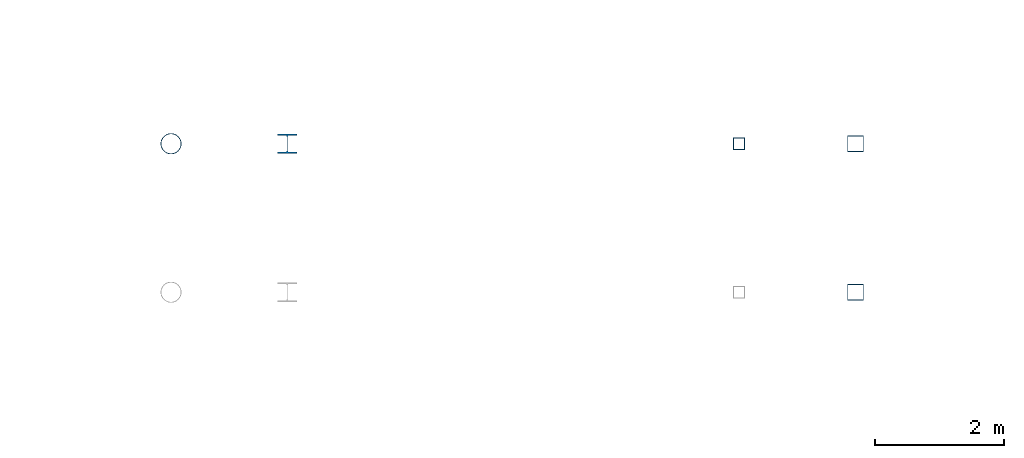
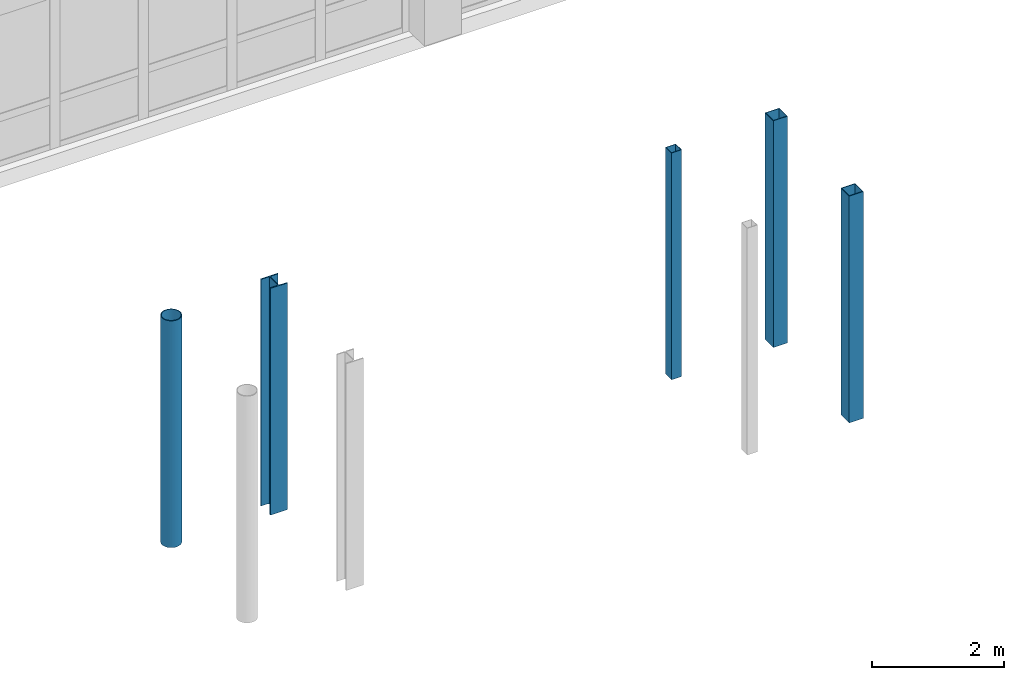
# One storey, part 17 of 147: 5 columns.
"""IFC4 building model written with IfcOpenShell, lengths in metres."""

from ifc_helpers import new_model, si_unit, direction, frame, origin, origin_2d, place, context, subcontext, project, spatial, hollow_rectangle, hollow_circle, i_section, extrude, material, material_profile, profile_set, type_object, element, save


model = new_model("IFC4")

# Units and contexts
model_context = context("Model", 3, precision=1e-05, world=origin(), true_north=direction((0.0, 1.0)))
body_context = subcontext(model_context, "Body", "Model", "MODEL_VIEW")
ifc_project = project(units=[si_unit("LENGTHUNIT", "METRE"), si_unit("AREAUNIT", "SQUARE_METRE"), si_unit("VOLUMEUNIT", "CUBIC_METRE"), si_unit("PLANEANGLEUNIT", "RADIAN"), si_unit("MASSUNIT", "GRAM", prefix="KILO")], contexts=[model_context])

# Site, building, storey
site_placement = place(None, origin())
site = spatial("IfcSite", under=ifc_project, at=site_placement, CompositionType="ELEMENT")
building_placement = place(site_placement, origin())
building = spatial("IfcBuilding", under=site, at=building_placement, Name="Malvenik Polytechnic", CompositionType="ELEMENT")
storey_placement = place(building_placement, frame((0.0, 0.0, 5.10009765625)))
storey = spatial("IfcBuildingStorey", under=building, at=storey_placement, Name="L01", CompositionType="ELEMENT", Elevation=5.10009765625)

# Columns
ifc_material_1 = material(Name="Steel S355J2H", Category="steel")
ifc_material_profile_1 = material_profile(ifc_material_1, hollow_rectangle(XDim=0.25, YDim=0.25, WallThickness=0.010009765625, at=origin_2d()), Name="SHS 250x250x10.0")
ifc_profile_set_1 = profile_set([ifc_material_profile_1], Name="Steel S355J2H")
column_type_1 = type_object("IfcColumnType", Name="STR-SCOL-SC-01", PredefinedType="COLUMN", material=ifc_profile_set_1)
for number, where, z_axis, x_axis, name in (
    (1, (59.199951171875, 103.14990234375, 0.0), (0.0, 0.0, 1.0), (1.0, 0.0, 0.0), "Bridge-Ramp Support Column SC-01 L01"),
    (2, (59.199951171875, 105.449951171875, 0.0), (0.0, 0.0, 1.0), (1.0, 0.0, 0.0), "Bridge-Ramp Support Column SC-01 L01"),
):
    element("IfcColumn", number, at=place(storey_placement, frame(where, z_axis=z_axis, x_axis=x_axis)), inside=storey, type_object=column_type_1, Name=name, PredefinedType="COLUMN", context=body_context, shape_type="SweptSolid", body=[
        extrude(hollow_rectangle(XDim=0.25, YDim=0.25, WallThickness=0.010009765625, at=origin_2d()), origin(), (0.0, 0.0, 1.0), 4.199951171875),
    ])
ifc_material_profile_2 = material_profile(ifc_material_1, hollow_circle(Radius=0.161865234375, WallThickness=0.012451171875, at=origin_2d()), Name="CHS 323.9x12.5")
ifc_profile_set_2 = profile_set([ifc_material_profile_2], Name="Steel S355J2H")
column_type_2 = type_object("IfcColumnType", Name="STR-SCOL-SC-04", PredefinedType="COLUMN", material=ifc_profile_set_2)
column_1_placement = place(storey_placement, frame((48.60009765625, 105.449951171875, 0.0), z_axis=(0.0, 0.0, 1.0), x_axis=(1.0, 0.0, 0.0)))
element("IfcColumn", 3, at=column_1_placement, inside=storey, type_object=column_type_2, Name="Bridge-Ramp Support Column SC-04 L01", PredefinedType="COLUMN", context=body_context, shape_type="SweptSolid", body=[
    extrude(hollow_circle(Radius=0.161865234375, WallThickness=0.012451171875, at=origin_2d()), origin(), (0.0, 0.0, 1.0), 4.199951171875),
])
ifc_material_2 = material(Name="Steel S355", Category="steel")
ifc_material_profile_3 = material_profile(ifc_material_2, i_section(OverallWidth=0.300048828125, OverallDepth=0.300048828125, WebThickness=0.010986328125, FlangeThickness=0.01904296875, FilletRadius=0.027099609375, at=origin_2d()), Name="HEB 300")
ifc_profile_set_3 = profile_set([ifc_material_profile_3], Name="Steel S355")
column_type_3 = type_object("IfcColumnType", Name="STR-SCOL-SC-05", PredefinedType="COLUMN", material=ifc_profile_set_3)
column_2_placement = place(storey_placement, frame((50.39990234375, 105.449951171875, 0.0), z_axis=(0.0, 0.0, 1.0), x_axis=(1.0, 0.0, 0.0)))
element("IfcColumn", 4, at=column_2_placement, inside=storey, type_object=column_type_3, Name="Bridge-Ramp Support Column SC-05 L01", PredefinedType="COLUMN", context=body_context, shape_type="SweptSolid", body=[
    extrude(i_section(OverallWidth=0.300048828125, OverallDepth=0.300048828125, WebThickness=0.010986328125, FlangeThickness=0.01904296875, FilletRadius=0.027099609375, at=origin_2d()), origin(), (0.0, 0.0, 1.0), 4.199951171875),
])
ifc_material_profile_4 = material_profile(ifc_material_1, hollow_rectangle(XDim=0.179931640625, YDim=0.179931640625, WallThickness=0.008056640625, at=origin_2d()), Name="SHS 180x180x8.0")
ifc_profile_set_4 = profile_set([ifc_material_profile_4], Name="Steel S355J2H")
column_type_4 = type_object("IfcColumnType", Name="STR-SCOL-SC-06", PredefinedType="COLUMN", material=ifc_profile_set_4)
column_3_placement = place(storey_placement, frame((57.39990234375, 105.449951171875, 0.0), z_axis=(0.0, 0.0, 1.0), x_axis=(1.0, 0.0, 0.0)))
element("IfcColumn", 5, at=column_3_placement, inside=storey, type_object=column_type_4, Name="Bridge-Ramp Support Column SC-06 L01", PredefinedType="COLUMN", context=body_context, shape_type="SweptSolid", body=[
    extrude(hollow_rectangle(XDim=0.179931640625, YDim=0.179931640625, WallThickness=0.008056640625, at=origin_2d()), origin(), (0.0, 0.0, 1.0), 4.199951171875),
])

save(model, "model.ifc")
